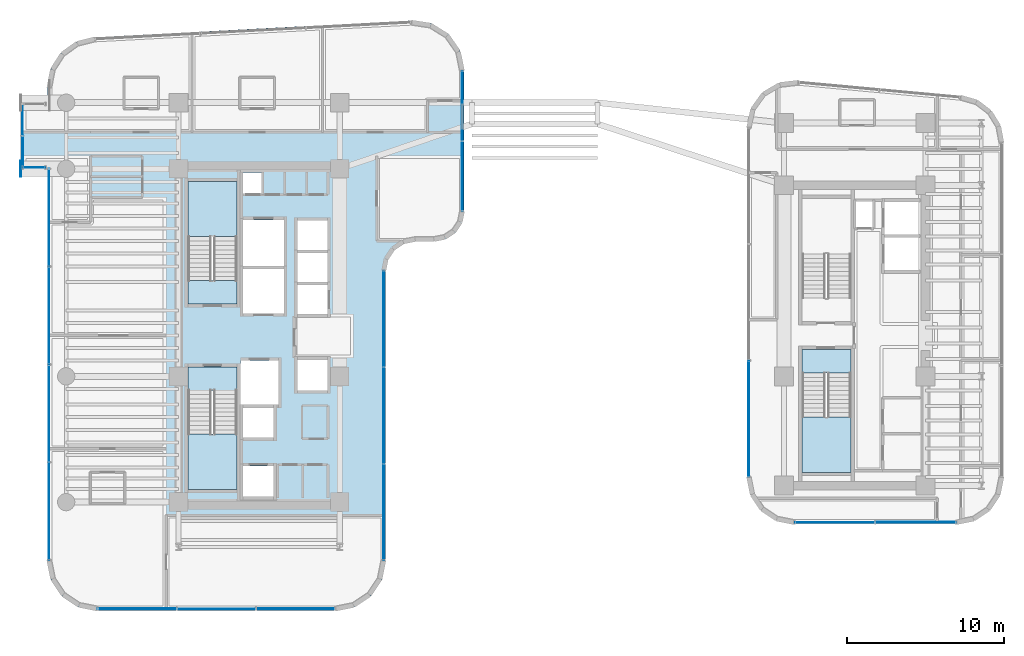
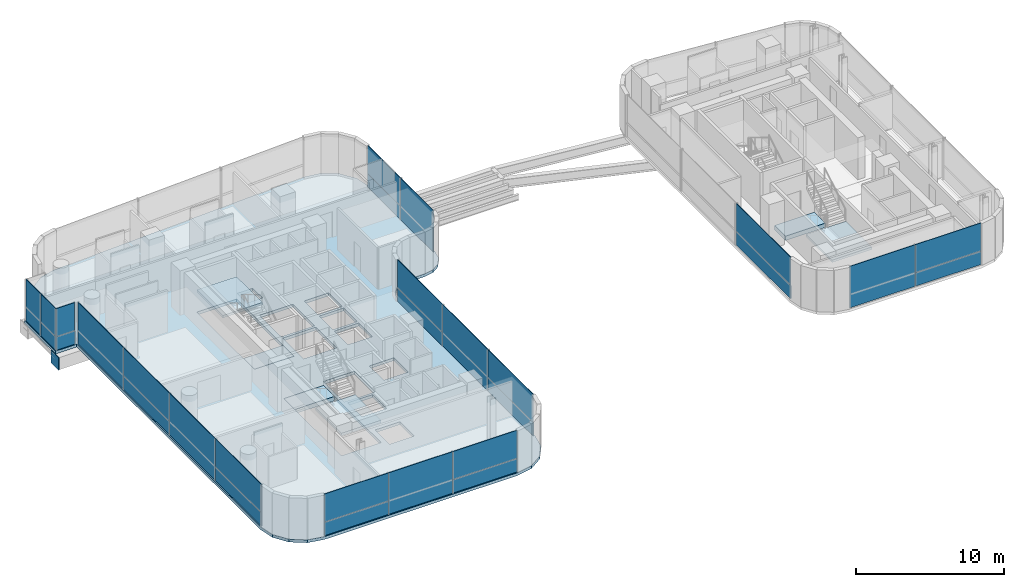
# One storey, part 26 of 36: 30 plates, 7 slabs, 11 elements without a shape of their own.
"""IFC4 building model written with IfcOpenShell, lengths in metres."""

from ifc_helpers import new_model, si_unit, direction, frame, origin, origin_2d, place, context, subcontext, project, spatial, polyline, rectangle, outline, extrude, source, transform, mapped, material, layer, layer_set, type_object, element, aggregate, save


model = new_model("IFC4")

# Units and contexts
model_context = context("Model", 3, precision=1e-05, world=origin(), true_north=direction((0.0, 1.0)))
body_context = subcontext(model_context, "Body", "Model", "MODEL_VIEW")
ifc_project = project(units=[si_unit("LENGTHUNIT", "METRE"), si_unit("AREAUNIT", "SQUARE_METRE"), si_unit("VOLUMEUNIT", "CUBIC_METRE"), si_unit("PLANEANGLEUNIT", "RADIAN"), si_unit("MASSUNIT", "GRAM", prefix="KILO")], contexts=[model_context])

# Site, building, storey
site_placement = place(None, origin())
site = spatial("IfcSite", under=ifc_project, at=site_placement, CompositionType="ELEMENT")
building_placement = place(site_placement, origin())
building = spatial("IfcBuilding", under=site, at=building_placement, Name="Valdorenza Pilgrim Sanctuary Tower", CompositionType="ELEMENT")
storey_placement = place(building_placement, frame((0.0, 0.0, 153.800048828125)))
storey = spatial("IfcBuildingStorey", under=building, at=storey_placement, Name="L39", CompositionType="ELEMENT", Elevation=153.800048828125)

# Slab
ifc_material_1 = material(Name="Concrete C40/50", Category="concrete")
ifc_layer_1 = layer(ifc_material_1, 0.239990234375, Name="Concrete C40/50")
ifc_layer_set_1 = layer_set([ifc_layer_1], Name="Concrete C40/50")
slab_type_1 = type_object("IfcSlabType", Name="SLAB-FLR-220", PredefinedType="FLOOR", material=ifc_layer_set_1)
slab_1_placement = place(storey_placement, frame((0.0, 0.0, -0.239990234375)))
element("IfcSlab", 1, at=slab_1_placement, inside=storey, type_object=slab_type_1, Name="L39 Structural Floor Slab 1", PredefinedType="FLOOR", context=body_context, shape_type="SweptSolid", body=[
    extrude(outline(polyline([(-30.772216796875, 16.9501953125), (-30.12158203125, 17.966796875), (-29.140625, 18.670166015625), (-27.96875, 18.960205078125), (-7.868896484375, 20.02197265625), (-6.593505859375, 19.8291015625), (-5.497802734375, 19.148193359375), (-4.760009765625, 18.090087890625), (-4.5, 16.826416015625), (-4.5, 7.89990234375), (-4.64453125, 7.1728515625), (-5.056396484375, 6.556396484375), (-5.6728515625, 6.14453125), (-6.39990234375, 6.0), (-7.60009765625, 6.0), (-8.3271484375, 5.85546875), (-8.943603515625, 5.443603515625), (-9.35546875, 4.8271484375), (-9.5, 4.10009765625), (-9.5, -14.300048828125), (-9.74365234375, -15.524658203125), (-10.437255859375, -16.562744140625), (-11.475341796875, -17.25634765625), (-12.699951171875, -17.5), (-27.800048828125, -17.5), (-29.024658203125, -17.25634765625), (-30.062744140625, -16.562744140625), (-30.75634765625, -15.524658203125), (-31.0, -14.300048828125), (-31.0, 10.60009765625), (-32.64990234375, 10.60009765625), (-32.64990234375, 14.800048828125), (-31.0, 14.800048828125), (-31.0, 15.7646484375), (-30.772216796875, 16.9501953125)]), holes=[polyline([(-16.60009765625, -10.25), (-16.60009765625, -8.300048828125), (-18.550048828125, -8.300048828125), (-18.550048828125, -10.25), (-16.60009765625, -10.25)]), polyline([(-22.050048828125, -9.800048828125), (-18.93994140625, -9.800048828125), (-18.93994140625, -3.485107421875), (-18.93994140625, -2.0), (-22.050048828125, -2.0), (-22.050048828125, -3.485107421875), (-22.050048828125, -9.800048828125)]), polyline([(-16.60009765625, -6.5), (-16.60009765625, -4.60009765625), (-18.550048828125, -4.60009765625), (-18.550048828125, -6.5), (-16.60009765625, -6.5)]), polyline([(-18.719970703125, -4.39990234375), (-16.300048828125, -4.39990234375), (-16.300048828125, -1.60009765625), (-18.719970703125, -1.60009765625), (-18.719970703125, -4.39990234375)]), polyline([(-13.179931640625, 1.35009765625), (-13.179931640625, 3.199951171875), (-15.10009765625, 3.199951171875), (-15.10009765625, 1.35009765625), (-13.179931640625, 1.35009765625)]), polyline([(-22.050048828125, 2.0), (-18.93994140625, 2.0), (-18.93994140625, 3.485107421875), (-18.93994140625, 9.800048828125), (-22.050048828125, 9.800048828125), (-22.050048828125, 3.485107421875), (-22.050048828125, 2.0)]), polyline([(-15.949951171875, 1.39990234375), (-15.949951171875, 4.22509765625), (-18.550048828125, 4.22509765625), (-18.550048828125, 1.39990234375), (-15.949951171875, 1.39990234375)]), polyline([(-18.550048828125, 4.425048828125), (-15.949951171875, 4.425048828125), (-15.949951171875, 7.35009765625), (-18.550048828125, 7.35009765625), (-18.550048828125, 4.425048828125)]), polyline([(-17.360107421875, 9.030029296875), (-17.360107421875, 10.35009765625), (-18.570068359375, 10.35009765625), (-18.570068359375, 9.030029296875), (-17.360107421875, 9.030029296875)]), polyline([(-13.179931640625, -3.5), (-13.179931640625, -1.550048828125), (-15.10009765625, -1.550048828125), (-15.10009765625, -3.5), (-13.179931640625, -3.5)]), polyline([(-13.179931640625, 3.39990234375), (-13.179931640625, 5.25), (-15.10009765625, 5.25), (-15.10009765625, 3.39990234375), (-13.179931640625, 3.39990234375)]), polyline([(-13.179931640625, 5.449951171875), (-13.179931640625, 7.300048828125), (-15.10009765625, 7.300048828125), (-15.10009765625, 5.449951171875), (-13.179931640625, 5.449951171875)])]), origin(), (0.0, 0.0, 1.0), 0.239990234375),
])

# Stair, slab
stair_type = type_object("IfcStairType", Name="STR-DOG-CORE", PredefinedType="HALF_TURN_STAIR", material=ifc_material_1)
stair_1_placement = place(storey_placement, origin())
stair_1 = element("IfcStair", 2, at=stair_1_placement, inside=storey, type_object=stair_type, Name="L39 ST-A1", PredefinedType="HALF_TURN_STAIR")
ifc_layer_2 = layer(ifc_material_1, 0.199951171875, Name="Concrete C40/50")
ifc_layer_set_2 = layer_set([ifc_layer_2], Name="Concrete C40/50")
slab_type_2 = type_object("IfcSlabType", Name="SLAB-STL-200", PredefinedType="LANDING", material=ifc_layer_set_2)
slab_2_placement = place(storey_placement, frame((0.0, 0.0, 1.64990234375)))
slab_2 = element("IfcSlab", 3, at=slab_2_placement, type_object=slab_type_2, Name="ST-A1 landing 1", PredefinedType="LANDING", context=body_context, shape_type="SweptSolid", body=[
    extrude(outline(polyline([(-18.93994140625, 6.280029296875), (-18.93994140625, 9.800048828125), (-22.050048828125, 9.800048828125), (-22.050048828125, 6.280029296875), (-18.93994140625, 6.280029296875)])), origin(), (0.0, 0.0, 1.0), 0.199951171875),
])
aggregate(stair_1, [slab_2])

stair_2_placement = place(storey_placement, origin())
stair_2 = element("IfcStair", 4, at=stair_2_placement, inside=storey, type_object=stair_type, Name="L39 ST-A2", PredefinedType="HALF_TURN_STAIR")
slab_3_placement = place(storey_placement, frame((0.0, 0.0, 1.64990234375)))
slab_3 = element("IfcSlab", 5, at=slab_3_placement, type_object=slab_type_2, Name="ST-A2 landing 1", PredefinedType="LANDING", context=body_context, shape_type="SweptSolid", body=[
    extrude(outline(polyline([(-22.050048828125, -6.280029296875), (-22.050048828125, -9.800048828125), (-18.93994140625, -9.800048828125), (-18.93994140625, -6.280029296875), (-22.050048828125, -6.280029296875)])), origin(), (0.0, 0.0, 1.0), 0.199951171875),
])
aggregate(stair_2, [slab_3])

stair_3_placement = place(storey_placement, origin())
stair_3 = element("IfcStair", 6, at=stair_3_placement, inside=storey, type_object=stair_type, Name="L39 ST-B2", PredefinedType="HALF_TURN_STAIR")
slab_4_placement = place(storey_placement, frame((0.0, 0.0, 1.64990234375)))
slab_4 = element("IfcSlab", 7, at=slab_4_placement, type_object=slab_type_2, Name="ST-B2 landing 1", PredefinedType="LANDING", context=body_context, shape_type="SweptSolid", body=[
    extrude(outline(polyline([(17.0, -5.179931640625), (17.0, -8.699951171875), (20.110107421875, -8.699951171875), (20.110107421875, -5.179931640625), (17.0, -5.179931640625)])), origin(), (0.0, 0.0, 1.0), 0.199951171875),
])
aggregate(stair_3, [slab_4])

# Slabs
ifc_material_2 = material(Name="Concrete C50/60", Category="concrete")
ifc_layer_3 = layer(ifc_material_2, 0.39990234375, Name="Concrete C50/60")
ifc_layer_set_3 = layer_set([ifc_layer_3], Name="Concrete C50/60")
slab_type_3 = type_object("IfcSlabType", Name="SLAB-TRF-400", PredefinedType="FLOOR", material=ifc_layer_set_3)
slab_5_placement = place(storey_placement, frame((0.0, 0.0, -0.360107421875)))
element("IfcSlab", 8, at=slab_5_placement, inside=storey, type_object=slab_type_3, Name="L39 ST-A1 Structural Stair Landing Bearing Slab", PredefinedType="FLOOR", context=body_context, shape_type="SweptSolid", body=[
    extrude(outline(polyline([(-22.050048828125, 2.0), (-18.93994140625, 2.0), (-18.93994140625, 3.485107421875), (-22.050048828125, 3.485107421875), (-22.050048828125, 2.0)])), origin(), (0.0, 0.0, 1.0), 0.360107421875),
])
slab_6_placement = place(storey_placement, frame((0.0, 0.0, -0.360107421875)))
element("IfcSlab", 9, at=slab_6_placement, inside=storey, type_object=slab_type_3, Name="L39 ST-A2 Structural Stair Landing Bearing Slab", PredefinedType="FLOOR", context=body_context, shape_type="SweptSolid", body=[
    extrude(outline(polyline([(-22.050048828125, -3.485107421875), (-18.93994140625, -3.485107421875), (-18.93994140625, -2.0), (-22.050048828125, -2.0), (-22.050048828125, -3.485107421875)])), origin(), (0.0, 0.0, 1.0), 0.360107421875),
])
slab_7_placement = place(storey_placement, frame((0.0, 0.0, -0.360107421875)))
element("IfcSlab", 10, at=slab_7_placement, inside=storey, type_object=slab_type_3, Name="L39 ST-B2 Structural Stair Landing Bearing Slab", PredefinedType="FLOOR", context=body_context, shape_type="SweptSolid", body=[
    extrude(outline(polyline([(17.0, -2.385009765625), (20.110107421875, -2.385009765625), (20.110107421875, -0.89990234375), (17.0, -0.89990234375), (17.0, -2.385009765625)])), origin(), (0.0, 0.0, 1.0), 0.360107421875),
])

# Plate
ifc_material_3 = material(Name="Steel ASTM A572 Grade 42", Category="steel")
ifc_layer_4 = layer(ifc_material_3, 0.06005859375, Name="Steel ASTM A572 Grade 42")
ifc_layer_set_4 = layer_set([ifc_layer_4], Name="Steel ASTM A572 Grade 42")
plate_type_1 = type_object("IfcPlateType", Name="PLT-CAP-60", PredefinedType="SHEET", material=ifc_layer_set_4)
shared_shape_1 = source(origin(), body_context, "Body", "SweptSolid", [
    extrude(rectangle(XDim=0.06005859375, YDim=1.0400390625, at=origin_2d()), origin(), (0.0, 0.0, 1.0), 1.0400390625),
])
plate_1_placement = place(storey_placement, frame((-32.679931640625, 10.60009765625, -1.260009765625), z_axis=(0.0, 0.0, 1.0), x_axis=(1.0, 0.0, 0.0)))
element("IfcPlate", 11, at=plate_1_placement, inside=storey, type_object=plate_type_1, Name="L39 BOX-WA-L39 Cantilever Tip End Cap S", PredefinedType="SHEET", context=body_context, shape_type="MappedRepresentation", body=[
    mapped(shared_shape_1, transform((0.0, 0.0, 0.0), x_axis=(1.0, 0.0, 0.0), y_axis=(0.0, 1.0, 0.0), z_axis=(0.0, 0.0, 1.0), scale=1.0)),
])

# Curtain wall, plates
ifc_material_4 = material(Name="Curtain-wall IGU glazing", Category="glass")
curtain_wall_type_1 = type_object("IfcCurtainWallType", Name="CW-SYS-02", PredefinedType="NOTDEFINED", material=ifc_material_4)
curtain_wall_1_placement = place(storey_placement, origin())
curtain_wall_1 = element("IfcCurtainWall", 12, at=curtain_wall_1_placement, inside=storey, type_object=curtain_wall_type_1, Name="L39 Curtain Wall CW-L39-BOX-WA-L39-S", PredefinedType="NOTDEFINED")
ifc_material_5 = material(Name="Honed travertine limestone", Category="masonry")
ifc_layer_5 = layer(ifc_material_5, 0.050048828125, Name="Honed travertine limestone")
ifc_layer_set_5 = layer_set([ifc_layer_5], Name="Honed travertine limestone")
plate_type_2 = type_object("IfcPlateType", Name="CW-SPN-TRV", PredefinedType="USERDEFINED", material=ifc_layer_set_5)
shared_shape_2 = source(origin(), body_context, "Body", "SweptSolid", [
    extrude(rectangle(XDim=1.43994140625, YDim=0.06005859375, at=origin_2d()), origin(), (0.0, 0.0, 1.0), 1.10009765625),
])
plate_2_placement = place(storey_placement, frame((-31.840087890625, 10.679931640625, 0.010009765625), z_axis=(0.0, 0.0, 1.0), x_axis=(-1.0, 0.0, 0.0)))
plate_2 = element("IfcPlate", 13, at=plate_2_placement, type_object=plate_type_2, Name="CW-L39-BOX-WA-L39-S Travertine Spandrel 1", ObjectType="SPANDREL", PredefinedType="USERDEFINED", context=body_context, shape_type="MappedRepresentation", body=[
    mapped(shared_shape_2, transform((0.0, 0.0, 0.0), x_axis=(1.0, 0.0, 0.0), y_axis=(0.0, 1.0, 0.0), z_axis=(0.0, 0.0, 1.0), scale=1.0)),
])
ifc_material_6 = material(Name="Ceramic-fritted low-E IGU glazing", Category="glass")
ifc_layer_6 = layer(ifc_material_6, 0.035888671875, Name="Ceramic-fritted low-E IGU glazing")
ifc_layer_set_6 = layer_set([ifc_layer_6], Name="Ceramic-fritted low-E IGU glazing")
plate_type_3 = type_object("IfcPlateType", Name="CW-GLZ-IGU", PredefinedType="USERDEFINED", material=ifc_layer_set_6)
shared_shape_3 = source(origin(), body_context, "Body", "SweptSolid", [
    extrude(rectangle(XDim=1.43994140625, YDim=0.050048828125, at=origin_2d()), origin(), (0.0, 0.0, 1.0), 2.320068359375),
])
plate_3_placement = place(storey_placement, frame((-31.840087890625, 10.679931640625, 1.1298828125), z_axis=(0.0, 0.0, 1.0), x_axis=(-1.0, 0.0, 0.0)))
plate_3 = element("IfcPlate", 14, at=plate_3_placement, type_object=plate_type_3, Name="CW-L39-BOX-WA-L39-S Facade Panel 1", ObjectType="GLAZING", PredefinedType="USERDEFINED", context=body_context, shape_type="MappedRepresentation", body=[
    mapped(shared_shape_3, transform((0.0, 0.0, 0.0), x_axis=(1.0, 0.0, 0.0), y_axis=(0.0, 1.0, 0.0), z_axis=(0.0, 0.0, 1.0), scale=1.0)),
])
aggregate(curtain_wall_1, [plate_2, plate_3])

curtain_wall_2_placement = place(storey_placement, origin())
curtain_wall_2 = element("IfcCurtainWall", 15, at=curtain_wall_2_placement, inside=storey, type_object=curtain_wall_type_1, Name="L39 Curtain Wall CW-L39-BOX-WA-L39-F", PredefinedType="NOTDEFINED")
shared_shape_4 = source(origin(), body_context, "Body", "SweptSolid", [
    extrude(rectangle(XDim=2.0, YDim=0.06005859375, at=origin_2d()), origin(), (0.0, 0.0, 1.0), 1.10009765625),
])
plate_4_placement = place(storey_placement, frame((-32.570068359375, 11.68994140625, 0.010009765625), z_axis=(0.0, 0.0, 1.0), x_axis=(0.0, 1.0, 0.0)))
plate_4 = element("IfcPlate", 16, at=plate_4_placement, type_object=plate_type_2, Name="CW-L39-BOX-WA-L39-F Travertine Spandrel 1", ObjectType="SPANDREL", PredefinedType="USERDEFINED", context=body_context, shape_type="MappedRepresentation", body=[
    mapped(shared_shape_4, transform((0.0, 0.0, 0.0), x_axis=(1.0, 0.0, 0.0), y_axis=(0.0, 1.0, 0.0), z_axis=(0.0, 0.0, 1.0), scale=1.0)),
])
shared_shape_5 = source(origin(), body_context, "Body", "SweptSolid", [
    extrude(rectangle(XDim=2.0, YDim=0.050048828125, at=origin_2d()), origin(), (0.0, 0.0, 1.0), 2.320068359375),
])
plate_5_placement = place(storey_placement, frame((-32.570068359375, 11.68994140625, 1.1298828125), z_axis=(0.0, 0.0, 1.0), x_axis=(0.0, 1.0, 0.0)))
plate_5 = element("IfcPlate", 17, at=plate_5_placement, type_object=plate_type_3, Name="CW-L39-BOX-WA-L39-F Facade Panel 1", ObjectType="GLAZING", PredefinedType="USERDEFINED", context=body_context, shape_type="MappedRepresentation", body=[
    mapped(shared_shape_5, transform((0.0, 0.0, 0.0), x_axis=(1.0, 0.0, 0.0), y_axis=(0.0, 1.0, 0.0), z_axis=(0.0, 0.0, 1.0), scale=1.0)),
])
shared_shape_6 = source(origin(), body_context, "Body", "SweptSolid", [
    extrude(rectangle(XDim=2.0, YDim=0.050048828125, at=origin_2d()), origin(), (0.0, 0.0, 1.0), 3.43994140625),
])
plate_6_placement = place(storey_placement, frame((-32.570068359375, 13.7099609375, 0.010009765625), z_axis=(0.0, 0.0, 1.0), x_axis=(0.0, 1.0, 0.0)))
plate_6 = element("IfcPlate", 18, at=plate_6_placement, type_object=plate_type_3, Name="CW-L39-BOX-WA-L39-F Full-Height Facade Panel 2", ObjectType="GLAZING", PredefinedType="USERDEFINED", context=body_context, shape_type="MappedRepresentation", body=[
    mapped(shared_shape_6, transform((0.0, 0.0, 0.0), x_axis=(1.0, 0.0, 0.0), y_axis=(0.0, 1.0, 0.0), z_axis=(0.0, 0.0, 1.0), scale=1.0)),
])
aggregate(curtain_wall_2, [plate_4, plate_5, plate_6])

curtain_wall_3_placement = place(storey_placement, origin())
curtain_wall_3 = element("IfcCurtainWall", 19, at=curtain_wall_3_placement, inside=storey, type_object=curtain_wall_type_1, Name="L39 Curtain Wall CW-L39-1-26", PredefinedType="NOTDEFINED")
shared_shape_7 = source(origin(), body_context, "Body", "SweptSolid", [
    extrude(rectangle(XDim=5.006103515625, YDim=0.06005859375, at=origin_2d()), origin(), (0.0, 0.0, 1.0), 1.10009765625),
])
plate_7_placement = place(storey_placement, frame((-15.223876953125, -17.389892578125, 0.010009765625), z_axis=(0.0, 0.0, 1.0), x_axis=(-1.0, 0.0, 0.0)))
plate_7 = element("IfcPlate", 20, at=plate_7_placement, type_object=plate_type_2, Name="CW-L39-1-26 Travertine Spandrel 1", ObjectType="SPANDREL", PredefinedType="USERDEFINED", context=body_context, shape_type="MappedRepresentation", body=[
    mapped(shared_shape_7, transform((0.0, 0.0, 0.0), x_axis=(1.0, 0.0, 0.0), y_axis=(0.0, 1.0, 0.0), z_axis=(0.0, 0.0, 1.0), scale=1.0)),
])
plate_8_placement = place(storey_placement, frame((-25.276123046875, -17.389892578125, 0.010009765625), z_axis=(0.0, 0.0, 1.0), x_axis=(-1.0, 0.0, 0.0)))
plate_8 = element("IfcPlate", 21, at=plate_8_placement, type_object=plate_type_2, Name="CW-L39-1-26 Travertine Spandrel 3", ObjectType="SPANDREL", PredefinedType="USERDEFINED", context=body_context, shape_type="MappedRepresentation", body=[
    mapped(shared_shape_7, transform((0.0, 0.0, 0.0), x_axis=(1.0, 0.0, 0.0), y_axis=(0.0, 1.0, 0.0), z_axis=(0.0, 0.0, 1.0), scale=1.0)),
])
shared_shape_8 = source(origin(), body_context, "Body", "SweptSolid", [
    extrude(rectangle(XDim=5.006103515625, YDim=0.050048828125, at=origin_2d()), origin(), (0.0, 0.0, 1.0), 2.320068359375),
])
plate_9_placement = place(storey_placement, frame((-15.223876953125, -17.389892578125, 1.1298828125), z_axis=(0.0, 0.0, 1.0), x_axis=(-1.0, 0.0, 0.0)))
plate_9 = element("IfcPlate", 22, at=plate_9_placement, type_object=plate_type_3, Name="CW-L39-1-26 Facade Panel 1", ObjectType="GLAZING", PredefinedType="USERDEFINED", context=body_context, shape_type="MappedRepresentation", body=[
    mapped(shared_shape_8, transform((0.0, 0.0, 0.0), x_axis=(1.0, 0.0, 0.0), y_axis=(0.0, 1.0, 0.0), z_axis=(0.0, 0.0, 1.0), scale=1.0)),
])
plate_10_placement = place(storey_placement, frame((-25.276123046875, -17.389892578125, 1.1298828125), z_axis=(0.0, 0.0, 1.0), x_axis=(-1.0, 0.0, 0.0)))
plate_10 = element("IfcPlate", 23, at=plate_10_placement, type_object=plate_type_3, Name="CW-L39-1-26 Facade Panel 3", ObjectType="GLAZING", PredefinedType="USERDEFINED", context=body_context, shape_type="MappedRepresentation", body=[
    mapped(shared_shape_8, transform((0.0, 0.0, 0.0), x_axis=(1.0, 0.0, 0.0), y_axis=(0.0, 1.0, 0.0), z_axis=(0.0, 0.0, 1.0), scale=1.0)),
])
shared_shape_9 = source(origin(), body_context, "Body", "SweptSolid", [
    extrude(rectangle(XDim=5.006103515625, YDim=0.050048828125, at=origin_2d()), origin(), (0.0, 0.0, 1.0), 3.43994140625),
])
plate_11_placement = place(storey_placement, frame((-20.25, -17.389892578125, 0.010009765625), z_axis=(0.0, 0.0, 1.0), x_axis=(-1.0, 0.0, 0.0)))
plate_11 = element("IfcPlate", 24, at=plate_11_placement, type_object=plate_type_3, Name="CW-L39-1-26 Full-Height Facade Panel 2", ObjectType="GLAZING", PredefinedType="USERDEFINED", context=body_context, shape_type="MappedRepresentation", body=[
    mapped(shared_shape_9, transform((0.0, 0.0, 0.0), x_axis=(1.0, 0.0, 0.0), y_axis=(0.0, 1.0, 0.0), z_axis=(0.0, 0.0, 1.0), scale=1.0)),
])
aggregate(curtain_wall_3, [plate_7, plate_9, plate_11, plate_8, plate_10])

curtain_wall_4_placement = place(storey_placement, origin())
curtain_wall_4 = element("IfcCurtainWall", 25, at=curtain_wall_4_placement, inside=storey, type_object=curtain_wall_type_1, Name="L39 Curtain Wall CW-L39-1-1S1", PredefinedType="NOTDEFINED")
shared_shape_10 = source(origin(), body_context, "Body", "SweptSolid", [
    extrude(rectangle(XDim=6.202392578125, YDim=0.06005859375, at=origin_2d()), origin(), (0.0, 0.0, 1.0), 1.10009765625),
])
plate_12_placement = place(storey_placement, frame((-30.889892578125, -11.177978515625, 0.010009765625), z_axis=(0.0, 0.0, 1.0), x_axis=(0.0, 1.0, 0.0)))
plate_12 = element("IfcPlate", 26, at=plate_12_placement, type_object=plate_type_2, Name="CW-L39-1-1S1 Travertine Spandrel 1", ObjectType="SPANDREL", PredefinedType="USERDEFINED", context=body_context, shape_type="MappedRepresentation", body=[
    mapped(shared_shape_10, transform((0.0, 0.0, 0.0), x_axis=(1.0, 0.0, 0.0), y_axis=(0.0, 1.0, 0.0), z_axis=(0.0, 0.0, 1.0), scale=1.0)),
])
plate_13_placement = place(storey_placement, frame((-30.889892578125, 1.2666015625, 0.010009765625), z_axis=(0.0, 0.0, 1.0), x_axis=(0.0, 1.0, 0.0)))
plate_13 = element("IfcPlate", 27, at=plate_13_placement, type_object=plate_type_2, Name="CW-L39-1-1S1 Travertine Spandrel 3", ObjectType="SPANDREL", PredefinedType="USERDEFINED", context=body_context, shape_type="MappedRepresentation", body=[
    mapped(shared_shape_10, transform((0.0, 0.0, 0.0), x_axis=(1.0, 0.0, 0.0), y_axis=(0.0, 1.0, 0.0), z_axis=(0.0, 0.0, 1.0), scale=1.0)),
])
shared_shape_11 = source(origin(), body_context, "Body", "SweptSolid", [
    extrude(rectangle(XDim=6.202392578125, YDim=0.050048828125, at=origin_2d()), origin(), (0.0, 0.0, 1.0), 2.320068359375),
])
plate_14_placement = place(storey_placement, frame((-30.889892578125, -11.177978515625, 1.1298828125), z_axis=(0.0, 0.0, 1.0), x_axis=(0.0, 1.0, 0.0)))
plate_14 = element("IfcPlate", 28, at=plate_14_placement, type_object=plate_type_3, Name="CW-L39-1-1S1 Facade Panel 1", ObjectType="GLAZING", PredefinedType="USERDEFINED", context=body_context, shape_type="MappedRepresentation", body=[
    mapped(shared_shape_11, transform((0.0, 0.0, 0.0), x_axis=(1.0, 0.0, 0.0), y_axis=(0.0, 1.0, 0.0), z_axis=(0.0, 0.0, 1.0), scale=1.0)),
])
plate_15_placement = place(storey_placement, frame((-30.889892578125, 1.2666015625, 1.1298828125), z_axis=(0.0, 0.0, 1.0), x_axis=(0.0, 1.0, 0.0)))
plate_15 = element("IfcPlate", 29, at=plate_15_placement, type_object=plate_type_3, Name="CW-L39-1-1S1 Facade Panel 3", ObjectType="GLAZING", PredefinedType="USERDEFINED", context=body_context, shape_type="MappedRepresentation", body=[
    mapped(shared_shape_11, transform((0.0, 0.0, 0.0), x_axis=(1.0, 0.0, 0.0), y_axis=(0.0, 1.0, 0.0), z_axis=(0.0, 0.0, 1.0), scale=1.0)),
])
shared_shape_12 = source(origin(), body_context, "Body", "SweptSolid", [
    extrude(rectangle(XDim=6.202392578125, YDim=0.050048828125, at=origin_2d()), origin(), (0.0, 0.0, 1.0), 3.43994140625),
])
plate_16_placement = place(storey_placement, frame((-30.889892578125, -4.955810546875, 0.010009765625), z_axis=(0.0, 0.0, 1.0), x_axis=(0.0, 1.0, 0.0)))
plate_16 = element("IfcPlate", 30, at=plate_16_placement, type_object=plate_type_3, Name="CW-L39-1-1S1 Full-Height Facade Panel 2", ObjectType="GLAZING", PredefinedType="USERDEFINED", context=body_context, shape_type="MappedRepresentation", body=[
    mapped(shared_shape_12, transform((0.0, 0.0, 0.0), x_axis=(1.0, 0.0, 0.0), y_axis=(0.0, 1.0, 0.0), z_axis=(0.0, 0.0, 1.0), scale=1.0)),
])
plate_17_placement = place(storey_placement, frame((-30.889892578125, 7.489013671875, 0.010009765625), z_axis=(0.0, 0.0, 1.0), x_axis=(0.0, 1.0, 0.0)))
plate_17 = element("IfcPlate", 31, at=plate_17_placement, type_object=plate_type_3, Name="CW-L39-1-1S1 Full-Height Facade Panel 4", ObjectType="GLAZING", PredefinedType="USERDEFINED", context=body_context, shape_type="MappedRepresentation", body=[
    mapped(shared_shape_12, transform((0.0, 0.0, 0.0), x_axis=(1.0, 0.0, 0.0), y_axis=(0.0, 1.0, 0.0), z_axis=(0.0, 0.0, 1.0), scale=1.0)),
])
aggregate(curtain_wall_4, [plate_12, plate_14, plate_16, plate_13, plate_15, plate_17])

curtain_wall_5_placement = place(storey_placement, origin())
curtain_wall_5 = element("IfcCurtainWall", 32, at=curtain_wall_5_placement, inside=storey, type_object=curtain_wall_type_1, Name="L39 Curtain Wall CW-L39-1-11", PredefinedType="NOTDEFINED")
shared_shape_13 = source(origin(), body_context, "Body", "SweptSolid", [
    extrude(rectangle(XDim=4.432373046875, YDim=0.06005859375, at=origin_2d()), origin(), (0.0, 0.0, 1.0), 1.10009765625),
])
plate_18_placement = place(storey_placement, frame((-4.610107421875, 14.589111328125, 0.010009765625), z_axis=(0.0, 0.0, 1.0), x_axis=(0.0, -1.0, 0.0)))
plate_18 = element("IfcPlate", 33, at=plate_18_placement, type_object=plate_type_2, Name="CW-L39-1-11 Travertine Spandrel 1", ObjectType="SPANDREL", PredefinedType="USERDEFINED", context=body_context, shape_type="MappedRepresentation", body=[
    mapped(shared_shape_13, transform((0.0, 0.0, 0.0), x_axis=(1.0, 0.0, 0.0), y_axis=(0.0, 1.0, 0.0), z_axis=(0.0, 0.0, 1.0), scale=1.0)),
])
shared_shape_14 = source(origin(), body_context, "Body", "SweptSolid", [
    extrude(rectangle(XDim=4.432373046875, YDim=0.050048828125, at=origin_2d()), origin(), (0.0, 0.0, 1.0), 2.320068359375),
])
plate_19_placement = place(storey_placement, frame((-4.610107421875, 14.589111328125, 1.1298828125), z_axis=(0.0, 0.0, 1.0), x_axis=(0.0, -1.0, 0.0)))
plate_19 = element("IfcPlate", 34, at=plate_19_placement, type_object=plate_type_3, Name="CW-L39-1-11 Facade Panel 1", ObjectType="GLAZING", PredefinedType="USERDEFINED", context=body_context, shape_type="MappedRepresentation", body=[
    mapped(shared_shape_14, transform((0.0, 0.0, 0.0), x_axis=(1.0, 0.0, 0.0), y_axis=(0.0, 1.0, 0.0), z_axis=(0.0, 0.0, 1.0), scale=1.0)),
])
shared_shape_15 = source(origin(), body_context, "Body", "SweptSolid", [
    extrude(rectangle(XDim=4.432373046875, YDim=0.050048828125, at=origin_2d()), origin(), (0.0, 0.0, 1.0), 3.43994140625),
])
plate_20_placement = place(storey_placement, frame((-4.610107421875, 10.136962890625, 0.010009765625), z_axis=(0.0, 0.0, 1.0), x_axis=(0.0, -1.0, 0.0)))
plate_20 = element("IfcPlate", 35, at=plate_20_placement, type_object=plate_type_3, Name="CW-L39-1-11 Full-Height Facade Panel 2", ObjectType="GLAZING", PredefinedType="USERDEFINED", context=body_context, shape_type="MappedRepresentation", body=[
    mapped(shared_shape_15, transform((0.0, 0.0, 0.0), x_axis=(1.0, 0.0, 0.0), y_axis=(0.0, 1.0, 0.0), z_axis=(0.0, 0.0, 1.0), scale=1.0)),
])
aggregate(curtain_wall_5, [plate_18, plate_19, plate_20])

curtain_wall_6_placement = place(storey_placement, origin())
curtain_wall_6 = element("IfcCurtainWall", 36, at=curtain_wall_6_placement, inside=storey, type_object=curtain_wall_type_1, Name="L39 Curtain Wall CW-L39-1-21", PredefinedType="NOTDEFINED")
shared_shape_16 = source(origin(), body_context, "Body", "SweptSolid", [
    extrude(rectangle(XDim=6.11328125, YDim=0.06005859375, at=origin_2d()), origin(), (0.0, 0.0, 1.0), 1.10009765625),
])
plate_21_placement = place(storey_placement, frame((-9.610107421875, 1.044189453125, 0.010009765625), z_axis=(0.0, 0.0, 1.0), x_axis=(0.0, -1.0, 0.0)))
plate_21 = element("IfcPlate", 37, at=plate_21_placement, type_object=plate_type_2, Name="CW-L39-1-21 Travertine Spandrel 1", ObjectType="SPANDREL", PredefinedType="USERDEFINED", context=body_context, shape_type="MappedRepresentation", body=[
    mapped(shared_shape_16, transform((0.0, 0.0, 0.0), x_axis=(1.0, 0.0, 0.0), y_axis=(0.0, 1.0, 0.0), z_axis=(0.0, 0.0, 1.0), scale=1.0)),
])
plate_22_placement = place(storey_placement, frame((-9.610107421875, -11.222412109375, 0.010009765625), z_axis=(0.0, 0.0, 1.0), x_axis=(0.0, -1.0, 0.0)))
plate_22 = element("IfcPlate", 38, at=plate_22_placement, type_object=plate_type_2, Name="CW-L39-1-21 Travertine Spandrel 3", ObjectType="SPANDREL", PredefinedType="USERDEFINED", context=body_context, shape_type="MappedRepresentation", body=[
    mapped(shared_shape_16, transform((0.0, 0.0, 0.0), x_axis=(1.0, 0.0, 0.0), y_axis=(0.0, 1.0, 0.0), z_axis=(0.0, 0.0, 1.0), scale=1.0)),
])
shared_shape_17 = source(origin(), body_context, "Body", "SweptSolid", [
    extrude(rectangle(XDim=6.11328125, YDim=0.050048828125, at=origin_2d()), origin(), (0.0, 0.0, 1.0), 2.320068359375),
])
plate_23_placement = place(storey_placement, frame((-9.610107421875, 1.044189453125, 1.1298828125), z_axis=(0.0, 0.0, 1.0), x_axis=(0.0, -1.0, 0.0)))
plate_23 = element("IfcPlate", 39, at=plate_23_placement, type_object=plate_type_3, Name="CW-L39-1-21 Facade Panel 1", ObjectType="GLAZING", PredefinedType="USERDEFINED", context=body_context, shape_type="MappedRepresentation", body=[
    mapped(shared_shape_17, transform((0.0, 0.0, 0.0), x_axis=(1.0, 0.0, 0.0), y_axis=(0.0, 1.0, 0.0), z_axis=(0.0, 0.0, 1.0), scale=1.0)),
])
plate_24_placement = place(storey_placement, frame((-9.610107421875, -11.222412109375, 1.1298828125), z_axis=(0.0, 0.0, 1.0), x_axis=(0.0, -1.0, 0.0)))
plate_24 = element("IfcPlate", 40, at=plate_24_placement, type_object=plate_type_3, Name="CW-L39-1-21 Facade Panel 3", ObjectType="GLAZING", PredefinedType="USERDEFINED", context=body_context, shape_type="MappedRepresentation", body=[
    mapped(shared_shape_17, transform((0.0, 0.0, 0.0), x_axis=(1.0, 0.0, 0.0), y_axis=(0.0, 1.0, 0.0), z_axis=(0.0, 0.0, 1.0), scale=1.0)),
])
shared_shape_18 = source(origin(), body_context, "Body", "SweptSolid", [
    extrude(rectangle(XDim=6.11328125, YDim=0.050048828125, at=origin_2d()), origin(), (0.0, 0.0, 1.0), 3.43994140625),
])
plate_25_placement = place(storey_placement, frame((-9.610107421875, -5.089111328125, 0.010009765625), z_axis=(0.0, 0.0, 1.0), x_axis=(0.0, -1.0, 0.0)))
plate_25 = element("IfcPlate", 41, at=plate_25_placement, type_object=plate_type_3, Name="CW-L39-1-21 Full-Height Facade Panel 2", ObjectType="GLAZING", PredefinedType="USERDEFINED", context=body_context, shape_type="MappedRepresentation", body=[
    mapped(shared_shape_18, transform((0.0, 0.0, 0.0), x_axis=(1.0, 0.0, 0.0), y_axis=(0.0, 1.0, 0.0), z_axis=(0.0, 0.0, 1.0), scale=1.0)),
])
aggregate(curtain_wall_6, [plate_21, plate_23, plate_25, plate_22, plate_24])

curtain_wall_type_2 = type_object("IfcCurtainWallType", Name="CW-SYS-03", PredefinedType="NOTDEFINED", material=ifc_material_4)
curtain_wall_7_placement = place(storey_placement, origin())
curtain_wall_7 = element("IfcCurtainWall", 42, at=curtain_wall_7_placement, inside=storey, type_object=curtain_wall_type_2, Name="L39 Curtain Wall CW-L39-2-1", PredefinedType="NOTDEFINED")
shared_shape_19 = source(origin(), body_context, "Body", "SweptSolid", [
    extrude(rectangle(XDim=7.376220703125, YDim=0.06005859375, at=origin_2d()), origin(), (0.0, 0.0, 1.0), 1.10009765625),
])
plate_26_placement = place(storey_placement, frame((13.610107421875, -5.291015625, 0.010009765625), z_axis=(0.0, 0.0, 1.0), x_axis=(0.0, 1.0, 0.0)))
plate_26 = element("IfcPlate", 43, at=plate_26_placement, type_object=plate_type_2, Name="CW-L39-2-1 Travertine Spandrel 1", ObjectType="SPANDREL", PredefinedType="USERDEFINED", context=body_context, shape_type="MappedRepresentation", body=[
    mapped(shared_shape_19, transform((0.0, 0.0, 0.0), x_axis=(1.0, 0.0, 0.0), y_axis=(0.0, 1.0, 0.0), z_axis=(0.0, 0.0, 1.0), scale=1.0)),
])
shared_shape_20 = source(origin(), body_context, "Body", "SweptSolid", [
    extrude(rectangle(XDim=7.376220703125, YDim=0.050048828125, at=origin_2d()), origin(), (0.0, 0.0, 1.0), 2.320068359375),
])
plate_27_placement = place(storey_placement, frame((13.610107421875, -5.291015625, 1.1298828125), z_axis=(0.0, 0.0, 1.0), x_axis=(0.0, 1.0, 0.0)))
plate_27 = element("IfcPlate", 44, at=plate_27_placement, type_object=plate_type_3, Name="CW-L39-2-1 Facade Panel 1", ObjectType="GLAZING", PredefinedType="USERDEFINED", context=body_context, shape_type="MappedRepresentation", body=[
    mapped(shared_shape_20, transform((0.0, 0.0, 0.0), x_axis=(1.0, 0.0, 0.0), y_axis=(0.0, 1.0, 0.0), z_axis=(0.0, 0.0, 1.0), scale=1.0)),
])
aggregate(curtain_wall_7, [plate_26, plate_27])

curtain_wall_8_placement = place(storey_placement, origin())
curtain_wall_8 = element("IfcCurtainWall", 45, at=curtain_wall_8_placement, inside=storey, type_object=curtain_wall_type_2, Name="L39 Curtain Wall CW-L39-2-16", PredefinedType="NOTDEFINED")
shared_shape_21 = source(origin(), body_context, "Body", "SweptSolid", [
    extrude(rectangle(XDim=5.119140625, YDim=0.06005859375, at=origin_2d()), origin(), (0.0, 0.0, 1.0), 1.10009765625),
])
plate_28_placement = place(storey_placement, frame((24.219482421875, -11.889892578125, 0.010009765625), z_axis=(0.0, 0.0, 1.0), x_axis=(-1.0, 0.0, 0.0)))
plate_28 = element("IfcPlate", 46, at=plate_28_placement, type_object=plate_type_2, Name="CW-L39-2-16 Travertine Spandrel 1", ObjectType="SPANDREL", PredefinedType="USERDEFINED", context=body_context, shape_type="MappedRepresentation", body=[
    mapped(shared_shape_21, transform((0.0, 0.0, 0.0), x_axis=(1.0, 0.0, 0.0), y_axis=(0.0, 1.0, 0.0), z_axis=(0.0, 0.0, 1.0), scale=1.0)),
])
shared_shape_22 = source(origin(), body_context, "Body", "SweptSolid", [
    extrude(rectangle(XDim=5.119140625, YDim=0.050048828125, at=origin_2d()), origin(), (0.0, 0.0, 1.0), 2.320068359375),
])
plate_29_placement = place(storey_placement, frame((24.219482421875, -11.889892578125, 1.1298828125), z_axis=(0.0, 0.0, 1.0), x_axis=(-1.0, 0.0, 0.0)))
plate_29 = element("IfcPlate", 47, at=plate_29_placement, type_object=plate_type_3, Name="CW-L39-2-16 Facade Panel 1", ObjectType="GLAZING", PredefinedType="USERDEFINED", context=body_context, shape_type="MappedRepresentation", body=[
    mapped(shared_shape_22, transform((0.0, 0.0, 0.0), x_axis=(1.0, 0.0, 0.0), y_axis=(0.0, 1.0, 0.0), z_axis=(0.0, 0.0, 1.0), scale=1.0)),
])
shared_shape_23 = source(origin(), body_context, "Body", "SweptSolid", [
    extrude(rectangle(XDim=5.119140625, YDim=0.050048828125, at=origin_2d()), origin(), (0.0, 0.0, 1.0), 3.43994140625),
])
plate_30_placement = place(storey_placement, frame((19.080322265625, -11.889892578125, 0.010009765625), z_axis=(0.0, 0.0, 1.0), x_axis=(-1.0, 0.0, 0.0)))
plate_30 = element("IfcPlate", 48, at=plate_30_placement, type_object=plate_type_3, Name="CW-L39-2-16 Full-Height Facade Panel 2", ObjectType="GLAZING", PredefinedType="USERDEFINED", context=body_context, shape_type="MappedRepresentation", body=[
    mapped(shared_shape_23, transform((0.0, 0.0, 0.0), x_axis=(1.0, 0.0, 0.0), y_axis=(0.0, 1.0, 0.0), z_axis=(0.0, 0.0, 1.0), scale=1.0)),
])
aggregate(curtain_wall_8, [plate_28, plate_29, plate_30])

save(model, "model.ifc")
